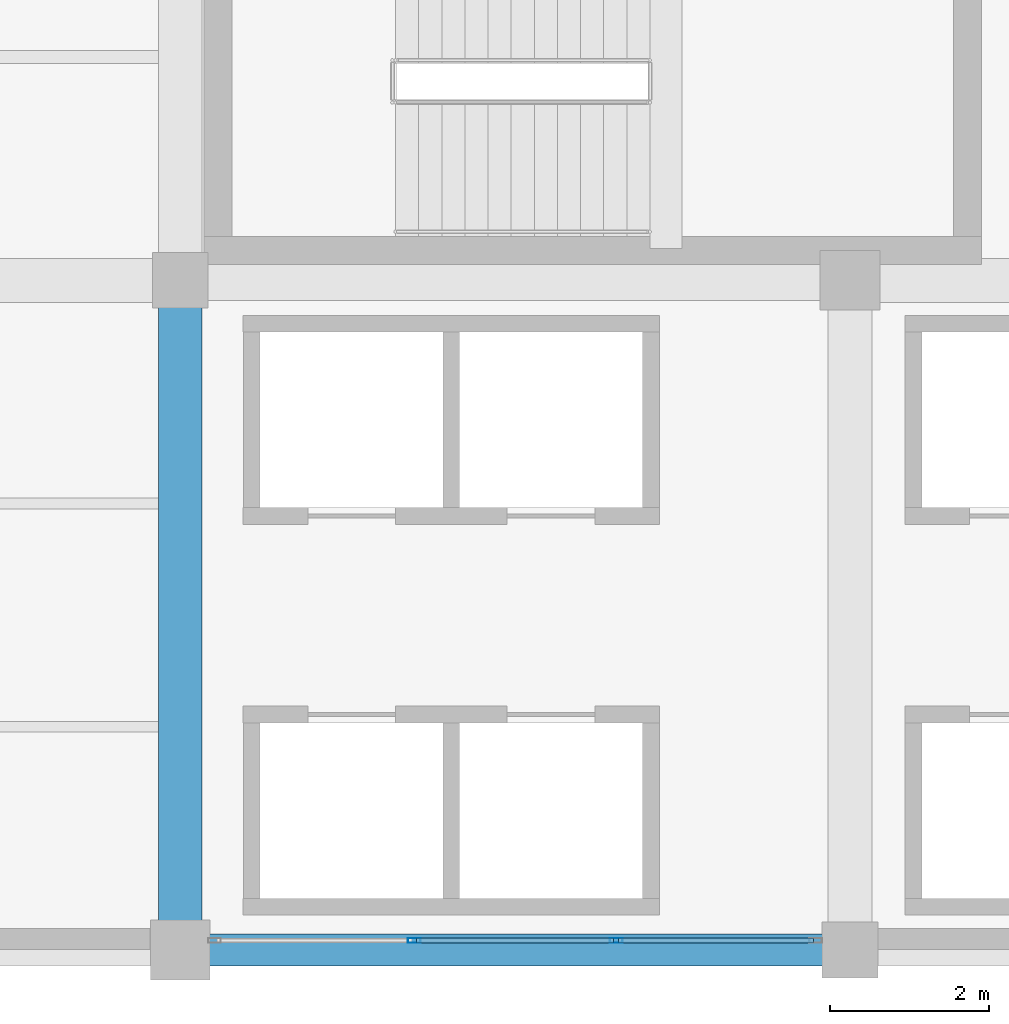
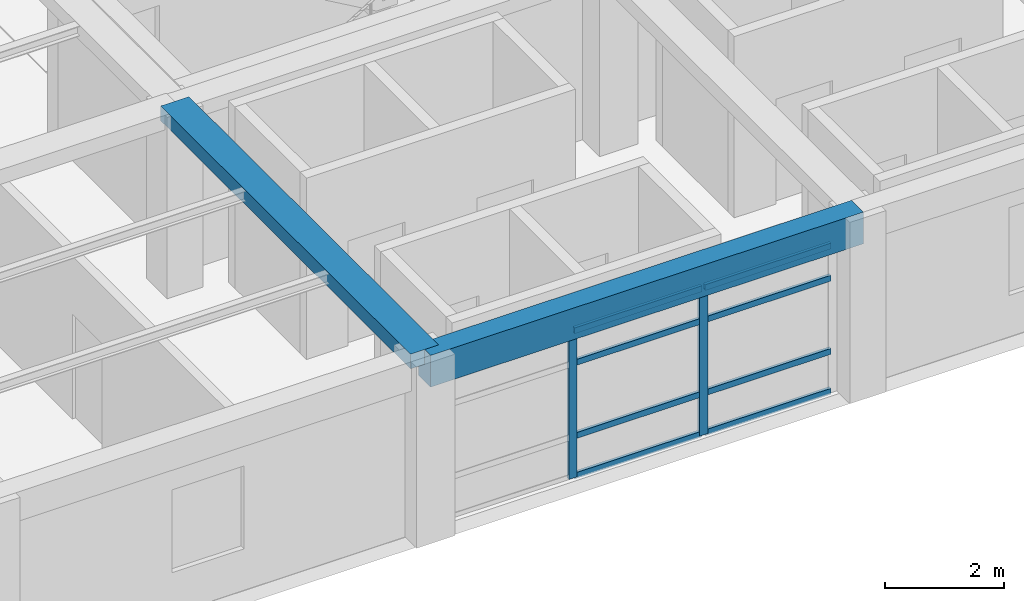
# One storey, part 3 of 31: 10 members, 2 beams, 1 element without a shape of its own.
"""IFC4 building model written with IfcOpenShell, lengths in metres."""

from ifc_helpers import new_model, si_unit, direction, frame, origin, origin_2d, place, context, subcontext, project, spatial, rectangle, hollow_rectangle, extrude, material, material_profile, profile_set, type_object, element, aggregate, save


model = new_model("IFC4")

# Units and contexts
model_context = context("Model", 3, precision=1e-05, world=origin(), true_north=direction((0.0, 1.0)))
body_context = subcontext(model_context, "Body", "Model", "MODEL_VIEW")
ifc_project = project(units=[si_unit("LENGTHUNIT", "METRE"), si_unit("AREAUNIT", "SQUARE_METRE"), si_unit("VOLUMEUNIT", "CUBIC_METRE"), si_unit("PLANEANGLEUNIT", "RADIAN"), si_unit("MASSUNIT", "GRAM", prefix="KILO")], contexts=[model_context])

# Site, building, storey
site_placement = place(None, origin())
site = spatial("IfcSite", under=ifc_project, at=site_placement, CompositionType="ELEMENT")
building_placement = place(site_placement, origin())
building = spatial("IfcBuilding", under=site, at=building_placement, Name="Almacenes y Pasaje Nevantli", CompositionType="ELEMENT")
storey_placement = place(building_placement, frame((0.0, 0.0, 34.699951171875)))
storey = spatial("IfcBuildingStorey", under=building, at=storey_placement, Name="L08", CompositionType="ELEMENT", Elevation=34.699951171875)

# Beams
ifc_material_1 = material(Name="Concrete C35/45", Category="concrete")
ifc_material_profile_1 = material_profile(ifc_material_1, rectangle(XDim=0.39990234375, YDim=0.64990234375, at=origin_2d()), Name="RC-BM-400x650")
ifc_profile_set_1 = profile_set([ifc_material_profile_1], Name="Concrete C35/45")
beam_type_1 = type_object("IfcBeamType", Name="BM-RC-400x650", PredefinedType="SPANDREL", material=ifc_profile_set_1)
beam_1_placement = place(storey_placement, frame((117.60009765625, 67.199951171875, 3.39501953125), z_axis=(1.0, 0.0, 0.0), x_axis=(0.0, 1.0, 0.0)))
element("IfcBeam", 1, at=beam_1_placement, inside=storey, type_object=beam_type_1, Name="L08 East-West Reinforced Concrete Beam #3686", PredefinedType="SPANDREL", context=body_context, shape_type="SweptSolid", body=[
    extrude(rectangle(XDim=0.39990234375, YDim=0.64990234375, at=origin_2d()), origin(), (0.0, 0.0, 1.0), 8.39990234375),
])
ifc_material_2 = material(Name="Concrete C35/45", Category="concrete")
ifc_material_profile_2 = material_profile(ifc_material_2, rectangle(XDim=0.550048828125, YDim=0.300048828125, at=origin_2d()), Name="RC-BM-550x300")
ifc_profile_set_2 = profile_set([ifc_material_profile_2], Name="Concrete C35/45")
beam_type_2 = type_object("IfcBeamType", Name="BM-RC-550x300", PredefinedType="BEAM", material=ifc_profile_set_2)
beam_2_placement = place(storey_placement, frame((117.60009765625, 67.199951171875, 3.570068359375), z_axis=(0.0, 1.0, 0.0), x_axis=(-1.0, 0.0, 0.0)))
element("IfcBeam", 2, at=beam_2_placement, inside=storey, type_object=beam_type_2, Name="L08 North-South Reinforced Concrete Beam #3719", PredefinedType="BEAM", context=body_context, shape_type="SweptSolid", body=[
    extrude(rectangle(XDim=0.550048828125, YDim=0.300048828125, at=origin_2d()), origin(), (0.0, 0.0, 1.0), 8.400146484375),
])

# Curtain wall, members
ifc_material_3 = material(Name="Thermally Broken Aluminium and Low-E Glass", Category="aluminium")
curtain_wall_type = type_object("IfcCurtainWallType", Name="CW-UNIT-TOWER", PredefinedType="USERDEFINED", material=ifc_material_3)
curtain_wall_placement = place(storey_placement, origin())
curtain_wall = element("IfcCurtainWall", 3, at=curtain_wall_placement, inside=storey, type_object=curtain_wall_type, Name="L08 Tower South Unitized Curtain Wall Bay 15", ObjectType="UNITIZED CURTAIN WALL", PredefinedType="USERDEFINED")
ifc_material_4 = material(Name="Thermally Broken Anodized Aluminium", Category="aluminium")
ifc_material_profile_3 = material_profile(ifc_material_4, hollow_rectangle(XDim=0.06005859375, YDim=0.159912109375, WallThickness=0.00390625, at=origin_2d()), Name="ALU-MUL-60x160")
ifc_profile_set_3 = profile_set([ifc_material_profile_3], Name="Thermally Broken Anodized Aluminium")
member_type_1 = type_object("IfcMemberType", Name="CW-MUL-180", PredefinedType="MULLION", material=ifc_profile_set_3)
member_1_placement = place(storey_placement, frame((120.533447265625, 67.320068359375, 0.0), z_axis=(0.0, 0.0, 1.0), x_axis=(0.0, 1.0, 0.0)))
member_1 = element("IfcMember", 4, at=member_1_placement, type_object=member_type_1, Name="CW-L08-122 mullion 2", PredefinedType="MULLION", context=body_context, shape_type="SweptSolid", body=[
    extrude(hollow_rectangle(XDim=0.06005859375, YDim=0.159912109375, WallThickness=0.00390625, at=origin_2d()), origin(), (0.0, 0.0, 1.0), 3.0400390625),
])
member_2_placement = place(storey_placement, frame((123.066650390625, 67.320068359375, 0.0), z_axis=(0.0, 0.0, 1.0), x_axis=(0.0, 1.0, 0.0)))
member_2 = element("IfcMember", 5, at=member_2_placement, type_object=member_type_1, Name="CW-L08-122 mullion 3", PredefinedType="MULLION", context=body_context, shape_type="SweptSolid", body=[
    extrude(hollow_rectangle(XDim=0.06005859375, YDim=0.159912109375, WallThickness=0.00390625, at=origin_2d()), origin(), (0.0, 0.0, 1.0), 3.0400390625),
])
ifc_material_5 = material(Name="Thermally Broken Anodized Aluminium", Category="aluminium")
ifc_material_profile_4 = material_profile(ifc_material_5, hollow_rectangle(XDim=0.06005859375, YDim=0.1201171875, WallThickness=0.00341796875, at=origin_2d()), Name="ALU-TRN-60x120")
ifc_profile_set_4 = profile_set([ifc_material_profile_4], Name="Thermally Broken Anodized Aluminium")
member_type_2 = type_object("IfcMemberType", Name="CW-TRN-130", PredefinedType="USERDEFINED", material=ifc_profile_set_4)
member_3_placement = place(storey_placement, frame((120.563232421875, 67.320068359375, 0.030029296875), z_axis=(1.0, 0.0, 0.0), x_axis=(0.0, 1.0, 0.0)))
member_3 = element("IfcMember", 6, at=member_3_placement, type_object=member_type_2, Name="CW-L08-122 transom 2.1", ObjectType="TRANSOM", PredefinedType="USERDEFINED", context=body_context, shape_type="SweptSolid", body=[
    extrude(hollow_rectangle(XDim=0.06005859375, YDim=0.1201171875, WallThickness=0.00341796875, at=origin_2d()), origin(), (0.0, 0.0, 1.0), 2.473388671875),
])
member_4_placement = place(storey_placement, frame((120.563232421875, 67.320068359375, 0.85009765625), z_axis=(1.0, 0.0, 0.0), x_axis=(0.0, 1.0, 0.0)))
member_4 = element("IfcMember", 7, at=member_4_placement, type_object=member_type_2, Name="CW-L08-122 transom 2.2", ObjectType="TRANSOM", PredefinedType="USERDEFINED", context=body_context, shape_type="SweptSolid", body=[
    extrude(hollow_rectangle(XDim=0.06005859375, YDim=0.1201171875, WallThickness=0.00341796875, at=origin_2d()), origin(), (0.0, 0.0, 1.0), 2.473388671875),
])
member_5_placement = place(storey_placement, frame((120.563232421875, 67.320068359375, 2.35009765625), z_axis=(1.0, 0.0, 0.0), x_axis=(0.0, 1.0, 0.0)))
member_5 = element("IfcMember", 8, at=member_5_placement, type_object=member_type_2, Name="CW-L08-122 transom 2.3", ObjectType="TRANSOM", PredefinedType="USERDEFINED", context=body_context, shape_type="SweptSolid", body=[
    extrude(hollow_rectangle(XDim=0.06005859375, YDim=0.1201171875, WallThickness=0.00341796875, at=origin_2d()), origin(), (0.0, 0.0, 1.0), 2.473388671875),
])
member_6_placement = place(storey_placement, frame((120.563232421875, 67.320068359375, 3.010009765625), z_axis=(1.0, 0.0, 0.0), x_axis=(0.0, 1.0, 0.0)))
member_6 = element("IfcMember", 9, at=member_6_placement, type_object=member_type_2, Name="CW-L08-122 transom 2.4", ObjectType="TRANSOM", PredefinedType="USERDEFINED", context=body_context, shape_type="SweptSolid", body=[
    extrude(hollow_rectangle(XDim=0.06005859375, YDim=0.1201171875, WallThickness=0.00341796875, at=origin_2d()), origin(), (0.0, 0.0, 1.0), 2.473388671875),
])
member_7_placement = place(storey_placement, frame((123.0966796875, 67.320068359375, 0.030029296875), z_axis=(1.0, 0.0, 0.0), x_axis=(0.0, 1.0, 0.0)))
member_7 = element("IfcMember", 10, at=member_7_placement, type_object=member_type_2, Name="CW-L08-122 transom 3.1", ObjectType="TRANSOM", PredefinedType="USERDEFINED", context=body_context, shape_type="SweptSolid", body=[
    extrude(hollow_rectangle(XDim=0.06005859375, YDim=0.1201171875, WallThickness=0.00341796875, at=origin_2d()), origin(), (0.0, 0.0, 1.0), 2.443359375),
])
member_8_placement = place(storey_placement, frame((123.0966796875, 67.320068359375, 0.85009765625), z_axis=(1.0, 0.0, 0.0), x_axis=(0.0, 1.0, 0.0)))
member_8 = element("IfcMember", 11, at=member_8_placement, type_object=member_type_2, Name="CW-L08-122 transom 3.2", ObjectType="TRANSOM", PredefinedType="USERDEFINED", context=body_context, shape_type="SweptSolid", body=[
    extrude(hollow_rectangle(XDim=0.06005859375, YDim=0.1201171875, WallThickness=0.00341796875, at=origin_2d()), origin(), (0.0, 0.0, 1.0), 2.443359375),
])
member_9_placement = place(storey_placement, frame((123.0966796875, 67.320068359375, 2.35009765625), z_axis=(1.0, 0.0, 0.0), x_axis=(0.0, 1.0, 0.0)))
member_9 = element("IfcMember", 12, at=member_9_placement, type_object=member_type_2, Name="CW-L08-122 transom 3.3", ObjectType="TRANSOM", PredefinedType="USERDEFINED", context=body_context, shape_type="SweptSolid", body=[
    extrude(hollow_rectangle(XDim=0.06005859375, YDim=0.1201171875, WallThickness=0.00341796875, at=origin_2d()), origin(), (0.0, 0.0, 1.0), 2.443359375),
])
member_10_placement = place(storey_placement, frame((123.0966796875, 67.320068359375, 3.010009765625), z_axis=(1.0, 0.0, 0.0), x_axis=(0.0, 1.0, 0.0)))
member_10 = element("IfcMember", 13, at=member_10_placement, type_object=member_type_2, Name="CW-L08-122 transom 3.4", ObjectType="TRANSOM", PredefinedType="USERDEFINED", context=body_context, shape_type="SweptSolid", body=[
    extrude(hollow_rectangle(XDim=0.06005859375, YDim=0.1201171875, WallThickness=0.00341796875, at=origin_2d()), origin(), (0.0, 0.0, 1.0), 2.443359375),
])
aggregate(curtain_wall, [member_1, member_2, member_3, member_4, member_5, member_6, member_7, member_8, member_9, member_10])

save(model, "model.ifc")
